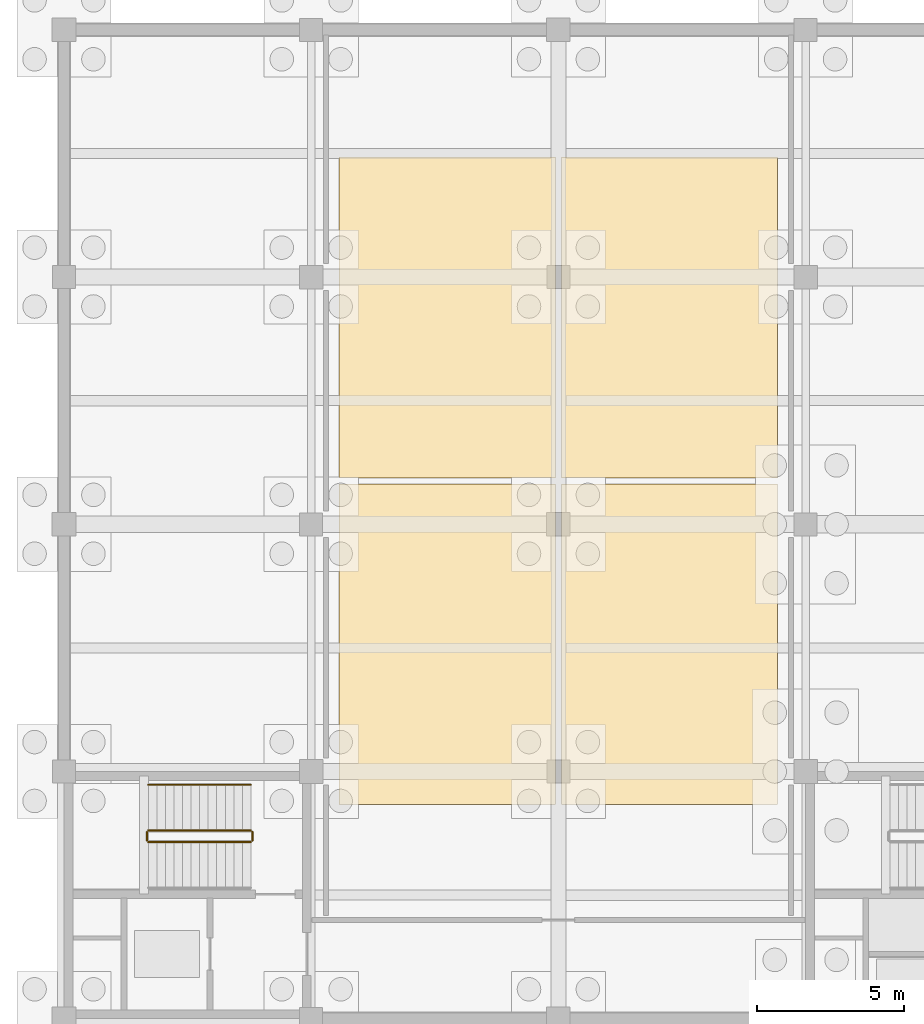
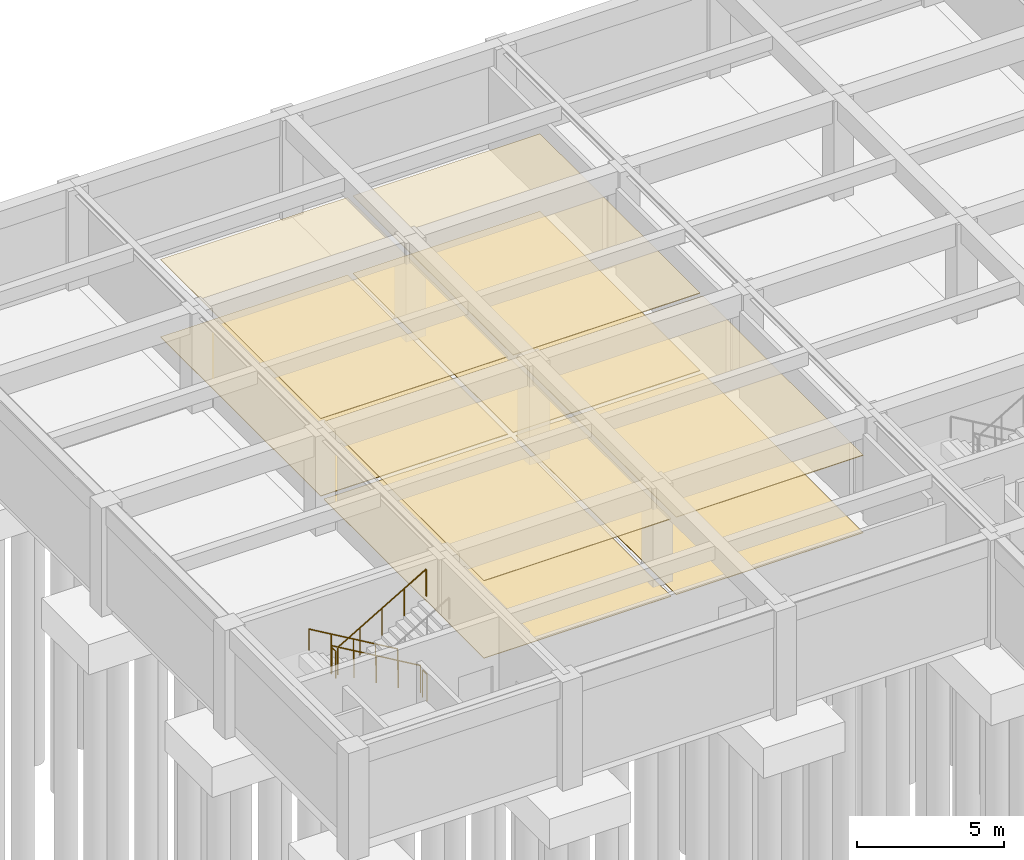
# One storey, part 29 of 33: 8 coverings, 5 railings.
"""IFC4 building model written with IfcOpenShell, lengths in metres."""

from ifc_helpers import new_model, si_unit, direction, frame, origin, origin_2d, place, context, subcontext, project, spatial, rectangle, circle, extrude, material, layer, layer_set, type_object, element, save


model = new_model("IFC4")

# Units and contexts
model_context = context("Model", 3, precision=1e-05, world=origin(), true_north=direction((0.0, 1.0)))
body_context = subcontext(model_context, "Body", "Model", "MODEL_VIEW")
ifc_project = project(units=[si_unit("LENGTHUNIT", "METRE"), si_unit("AREAUNIT", "SQUARE_METRE"), si_unit("VOLUMEUNIT", "CUBIC_METRE"), si_unit("PLANEANGLEUNIT", "RADIAN"), si_unit("MASSUNIT", "GRAM", prefix="KILO")], contexts=[model_context])

# Site, building, storey
site_placement = place(None, origin())
site = spatial("IfcSite", under=ifc_project, at=site_placement, CompositionType="ELEMENT")
building_placement = place(site_placement, origin())
building = spatial("IfcBuilding", under=site, at=building_placement, Name="Kveldsbrygga Polytechnic", CompositionType="ELEMENT")
storey_placement = place(building_placement, frame((0.0, 0.0, -4.419921875)))
storey = spatial("IfcBuildingStorey", under=building, at=storey_placement, Name="B1", CompositionType="ELEMENT", Elevation=-4.419921875)

# Coverings
ifc_material_1 = material(Name="Acoustic mineral baffle ceiling")
ifc_layer_1 = layer(ifc_material_1, 0.030029296875)
ifc_layer_set_1 = layer_set([ifc_layer_1], Name="Acoustic mineral baffle ceiling")
covering_type_1 = type_object("IfcCoveringType", Name="COV-CEIL-AC30", PredefinedType="CEILING", material=ifc_layer_set_1)
for number, where, z_axis, x_axis, name in (
    (1, (113.824951171875, 96.72509765625, 3.2099609375), (0.0, 0.0, 1.0), (1.0, 0.0, 0.0), "Acoustic Ceiling SP-B1-CHEM-WS"),
    (2, (113.824951171875, 107.824951171875, 3.2099609375), (0.0, 0.0, 1.0), (1.0, 0.0, 0.0), "Acoustic Ceiling SP-B1-CHEM-WN"),
    (3, (121.375, 96.72509765625, 3.2099609375), (0.0, 0.0, 1.0), (1.0, 0.0, 0.0), "Acoustic Ceiling SP-B1-CHEM-ES"),
    (4, (121.375, 107.824951171875, 3.2099609375), (0.0, 0.0, 1.0), (1.0, 0.0, 0.0), "Acoustic Ceiling SP-B1-CHEM-EN"),
):
    element("IfcCovering", number, at=place(storey_placement, frame(where, z_axis=z_axis, x_axis=x_axis)), inside=storey, type_object=covering_type_1, Name=name, PredefinedType="CEILING", context=body_context, shape_type="SweptSolid", body=[
        extrude(rectangle(XDim=7.35009765625, YDim=10.89990234375, at=origin_2d()), origin(), (0.0, 0.0, 1.0), 0.030029296875),
    ])
ifc_material_2 = material(Name="Acoustic oak timber flooring", Category="wood")
ifc_layer_2 = layer(ifc_material_2, 0.02197265625)
ifc_layer_set_2 = layer_set([ifc_layer_2], Name="Acoustic oak timber flooring")
covering_type_2 = type_object("IfcCoveringType", Name="COV-FLR-OAK22", PredefinedType="FLOORING", material=ifc_layer_set_2)
for number, where, z_axis, x_axis, name in (
    (5, (113.824951171875, 96.72509765625, 0.0), (0.0, 0.0, 1.0), (1.0, 0.0, 0.0), "Room Flooring SP-B1-CHEM-WS"),
    (6, (113.824951171875, 107.824951171875, 0.0), (0.0, 0.0, 1.0), (1.0, 0.0, 0.0), "Room Flooring SP-B1-CHEM-WN"),
    (7, (121.375, 96.72509765625, 0.0), (0.0, 0.0, 1.0), (1.0, 0.0, 0.0), "Room Flooring SP-B1-CHEM-ES"),
    (8, (121.375, 107.824951171875, 0.0), (0.0, 0.0, 1.0), (1.0, 0.0, 0.0), "Room Flooring SP-B1-CHEM-EN"),
):
    element("IfcCovering", number, at=place(storey_placement, frame(where, z_axis=z_axis, x_axis=x_axis)), inside=storey, type_object=covering_type_2, Name=name, PredefinedType="FLOORING", context=body_context, shape_type="SweptSolid", body=[
        extrude(rectangle(XDim=7.35009765625, YDim=10.89990234375, at=origin_2d()), origin(), (0.0, 0.0, 1.0), 0.02197265625),
    ])

# Railings
ifc_material_3 = material(Name="Steel S355", Category="steel")
railing_type_1 = type_object("IfcRailingType", Name="RL-STAIR-GRD", PredefinedType="GUARDRAIL", material=ifc_material_3)
railing_1_placement = place(storey_placement, frame((107.14990234375, 90.39990234375, 0.169921875)))
element("IfcRailing", 9, at=railing_1_placement, inside=storey, type_object=railing_type_1, Name="B1 ST-5 stair guard 1", PredefinedType="GUARDRAIL", context=body_context, shape_type="SweptSolid", body=[
    extrude(circle(Radius=0.02392578125, at=origin_2d()), frame((0.0, 0.0, 1.1259765625), z_axis=(-0.862692506924, 0.0, 0.505728819128), x_axis=(0.0, -1.0, 0.0)), (0.0, 0.0, 1.0), 4.033935546875),
    extrude(circle(Radius=0.02099609375, at=origin_2d()), origin(), (0.0, 0.0, 1.0), 1.097900390625),
    extrude(circle(Radius=0.02099609375, at=origin_2d()), frame((-0.8701171875, 0.0, 0.510009765625)), (0.0, 0.0, 1.0), 1.097900390625),
    extrude(circle(Radius=0.02099609375, at=origin_2d()), frame((-1.739990234375, 0.0, 1.02001953125)), (0.0, 0.0, 1.0), 1.097900390625),
    extrude(circle(Radius=0.02099609375, at=origin_2d()), frame((-2.60986328125, 0.0, 1.530029296875)), (0.0, 0.0, 1.0), 1.097900390625),
    extrude(circle(Radius=0.02099609375, at=origin_2d()), frame((-3.47998046875, 0.0, 2.0400390625)), (0.0, 0.0, 1.0), 1.097900390625),
])
railing_2_placement = place(storey_placement, frame((103.6201171875, 90.35009765625, 2.2099609375)))
element("IfcRailing", 10, at=railing_2_placement, inside=storey, type_object=railing_type_1, Name="B1 ST-5 stair guard 2", PredefinedType="GUARDRAIL", context=body_context, shape_type="SweptSolid", body=[
    extrude(circle(Radius=0.02392578125, at=origin_2d()), frame((0.0, 0.0, 1.1259765625), z_axis=(0.0, -1.0, 0.0), x_axis=(1.0, 0.0, 0.0)), (0.0, 0.0, 1.0), 0.300048828125),
    extrude(circle(Radius=0.02099609375, at=origin_2d()), origin(), (0.0, 0.0, 1.0), 1.097900390625),
    extrude(circle(Radius=0.02099609375, at=origin_2d()), frame((0.0, -0.300048828125, 0.0)), (0.0, 0.0, 1.0), 1.097900390625),
])
railing_3_placement = place(storey_placement, frame((103.669921875, 90.0, 2.3798828125)))
element("IfcRailing", 11, at=railing_3_placement, inside=storey, type_object=railing_type_1, Name="B1 ST-5 stair guard 3", PredefinedType="GUARDRAIL", context=body_context, shape_type="SweptSolid", body=[
    extrude(circle(Radius=0.02392578125, at=origin_2d()), frame((0.0, 0.0, 1.1259765625), z_axis=(0.862692506924, 0.0, 0.505728819128), x_axis=(0.0, 1.0, 0.0)), (0.0, 0.0, 1.0), 4.033935546875),
    extrude(circle(Radius=0.02099609375, at=origin_2d()), origin(), (0.0, 0.0, 1.0), 1.097900390625),
    extrude(circle(Radius=0.02099609375, at=origin_2d()), frame((0.8701171875, 0.0, 0.510009765625)), (0.0, 0.0, 1.0), 1.097900390625),
    extrude(circle(Radius=0.02099609375, at=origin_2d()), frame((1.739990234375, 0.0, 1.02001953125)), (0.0, 0.0, 1.0), 1.097900390625),
    extrude(circle(Radius=0.02099609375, at=origin_2d()), frame((2.60986328125, 0.0, 1.530029296875)), (0.0, 0.0, 1.0), 1.097900390625),
    extrude(circle(Radius=0.02099609375, at=origin_2d()), frame((3.47998046875, 0.0, 2.0400390625)), (0.0, 0.0, 1.0), 1.097900390625),
])
railing_4_placement = place(storey_placement, frame((107.199951171875, 90.35009765625, 0.0)))
element("IfcRailing", 12, at=railing_4_placement, inside=storey, type_object=railing_type_1, Name="B1 ST-5 stair guard 4", PredefinedType="GUARDRAIL", context=body_context, shape_type="SweptSolid", body=[
    extrude(circle(Radius=0.02392578125, at=origin_2d()), frame((0.0, 0.0, 1.1259765625), z_axis=(0.0, -1.0, 0.0), x_axis=(1.0, 0.0, 0.0)), (0.0, 0.0, 1.0), 0.300048828125),
    extrude(circle(Radius=0.02099609375, at=origin_2d()), origin(), (0.0, 0.0, 1.0), 1.097900390625),
    extrude(circle(Radius=0.02099609375, at=origin_2d()), frame((0.0, -0.300048828125, 0.0)), (0.0, 0.0, 1.0), 1.097900390625),
])
railing_type_2 = type_object("IfcRailingType", Name="RL-STAIR-HND", PredefinedType="HANDRAIL", material=ifc_material_3)
railing_5_placement = place(storey_placement, frame((107.14990234375, 91.949951171875, 0.169921875)))
element("IfcRailing", 13, at=railing_5_placement, inside=storey, type_object=railing_type_2, Name="B1 ST-5 stair handrail 1", PredefinedType="HANDRAIL", context=body_context, shape_type="SweptSolid", body=[
    extrude(circle(Radius=0.02392578125, at=origin_2d()), frame((0.0, 0.0, 0.8759765625), z_axis=(-0.862692506924, 0.0, 0.505728819128), x_axis=(0.0, -1.0, 0.0)), (0.0, 0.0, 1.0), 4.033935546875),
    extrude(circle(Radius=0.02099609375, at=origin_2d()), origin(), (0.0, 0.0, 1.0), 0.847900390625),
    extrude(circle(Radius=0.02099609375, at=origin_2d()), frame((-0.8701171875, 0.0, 0.510009765625)), (0.0, 0.0, 1.0), 0.847900390625),
    extrude(circle(Radius=0.02099609375, at=origin_2d()), frame((-1.739990234375, 0.0, 1.02001953125)), (0.0, 0.0, 1.0), 0.847900390625),
    extrude(circle(Radius=0.02099609375, at=origin_2d()), frame((-2.60986328125, 0.0, 1.530029296875)), (0.0, 0.0, 1.0), 0.847900390625),
    extrude(circle(Radius=0.02099609375, at=origin_2d()), frame((-3.47998046875, 0.0, 2.0400390625)), (0.0, 0.0, 1.0), 0.847900390625),
])

save(model, "model.ifc")
